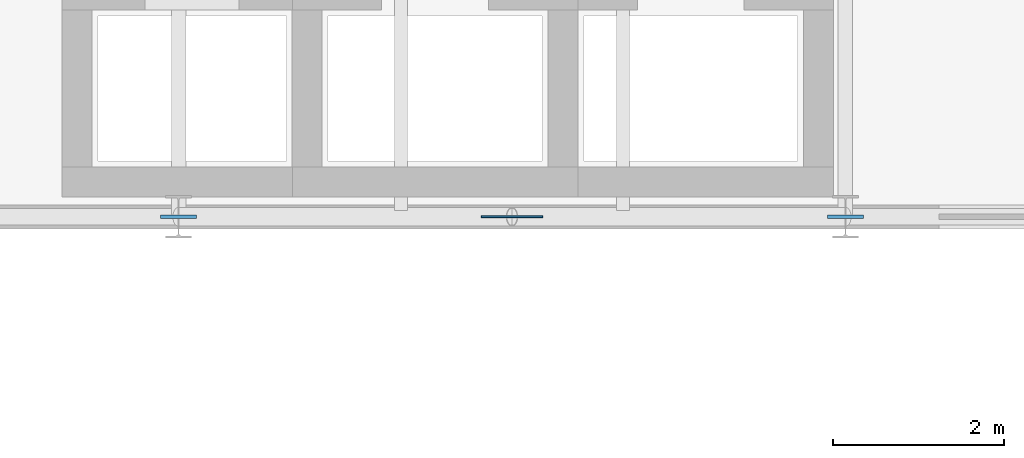
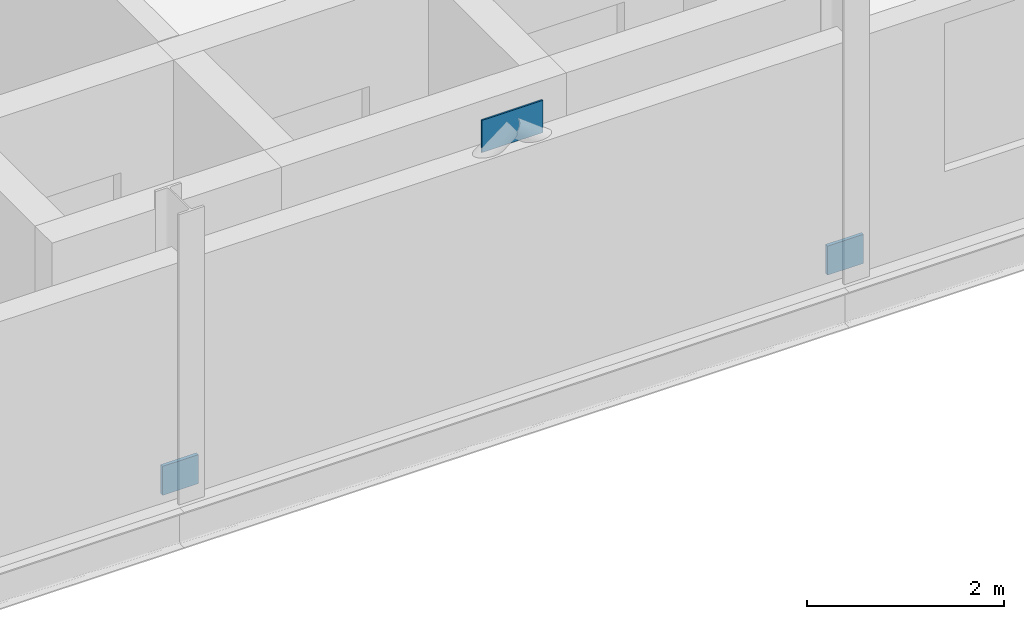
# One storey, part 16 of 30: 3 plates.
"""IFC4 building model written with IfcOpenShell, lengths in metres."""

from ifc_helpers import new_model, si_unit, direction, frame, origin, origin_2d, place, context, subcontext, project, spatial, rectangle, extrude, material, layer, layer_set, type_object, element, save


model = new_model("IFC4")

# Units and contexts
model_context = context("Model", 3, precision=1e-05, world=origin(), true_north=direction((0.0, 1.0)))
body_context = subcontext(model_context, "Body", "Model", "MODEL_VIEW")
ifc_project = project(units=[si_unit("LENGTHUNIT", "METRE"), si_unit("AREAUNIT", "SQUARE_METRE"), si_unit("VOLUMEUNIT", "CUBIC_METRE"), si_unit("PLANEANGLEUNIT", "RADIAN"), si_unit("MASSUNIT", "GRAM", prefix="KILO")], contexts=[model_context])

# Site, building, storey
site_placement = place(None, origin())
site = spatial("IfcSite", under=ifc_project, at=site_placement, CompositionType="ELEMENT")
building_placement = place(site_placement, origin())
building = spatial("IfcBuilding", under=site, at=building_placement, Name="Sefraquen Railside Congress Hotel", CompositionType="ELEMENT")
storey_placement = place(building_placement, frame((0.0, 0.0, 35.39990234375)))
storey = spatial("IfcBuildingStorey", under=building, at=storey_placement, Name="L08", CompositionType="ELEMENT", Elevation=35.39990234375)

# Plates
ifc_material = material(Name="Steel S355J2", Category="steel")
ifc_layer_1 = layer(ifc_material, 0.02001953125)
ifc_layer_set_1 = layer_set([ifc_layer_1], Name="Steel S355J2")
plate_type_1 = type_object("IfcPlateType", Name="TP-GUS-01", PredefinedType="SHEET", material=ifc_layer_set_1)
plate_placement = place(storey_placement, frame((36.89990234375, 96.0, 2.93017578125), z_axis=(0.0, 0.0, 1.0), x_axis=(1.0, 0.0, 0.0)))
element("IfcPlate", 1, at=plate_placement, inside=storey, type_object=plate_type_1, Name="Chevron braced-frame apex gusset plate BF1 L08", PredefinedType="SHEET", context=body_context, shape_type="SweptSolid", body=[
    extrude(rectangle(XDim=0.719970703125, YDim=0.02001953125, at=origin_2d()), origin(), (0.0, 0.0, 1.0), 0.39990234375),
])
ifc_layer_2 = layer(ifc_material, 0.0400390625)
ifc_layer_set_2 = layer_set([ifc_layer_2], Name="Steel S355J2")
plate_type_2 = type_object("IfcPlateType", Name="TP-GUS-02", PredefinedType="SHEET", material=ifc_layer_set_2)
for number, where, z_axis, x_axis, name in (
    (2, (33.0, 96.0, 0.0), (0.0, 0.0, 1.0), (1.0, 0.0, 0.0), "Chevron braced-frame base gusset plate BF1-L L08"),
    (3, (40.800048828125, 96.0, 0.0), (0.0, 0.0, 1.0), (1.0, 0.0, 0.0), "Chevron braced-frame base gusset plate BF1-R L08"),
):
    element("IfcPlate", number, at=place(storey_placement, frame(where, z_axis=z_axis, x_axis=x_axis)), inside=storey, type_object=plate_type_2, Name=name, PredefinedType="SHEET", context=body_context, shape_type="SweptSolid", body=[
        extrude(rectangle(XDim=0.419921875, YDim=0.0400390625, at=origin_2d()), origin(), (0.0, 0.0, 1.0), 0.360107421875),
    ])

save(model, "model.ifc")
